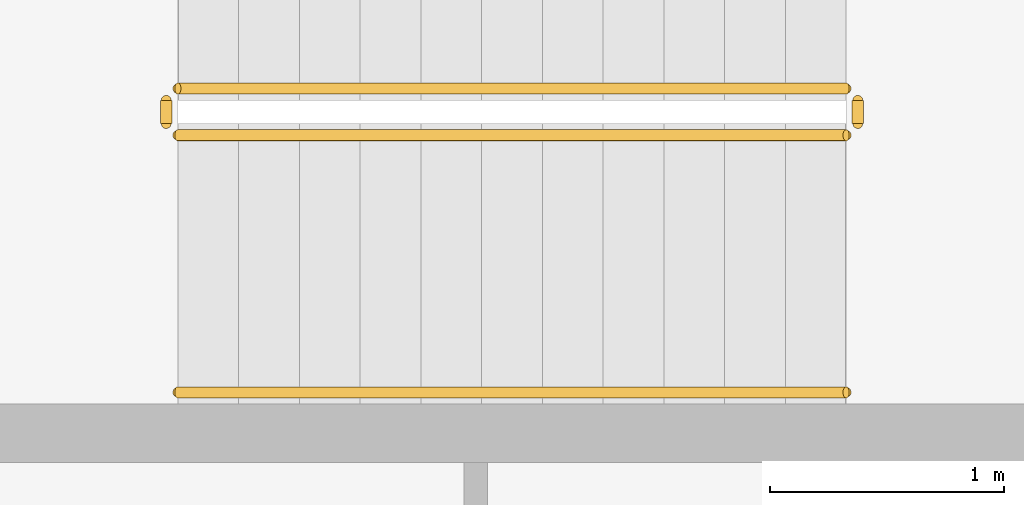
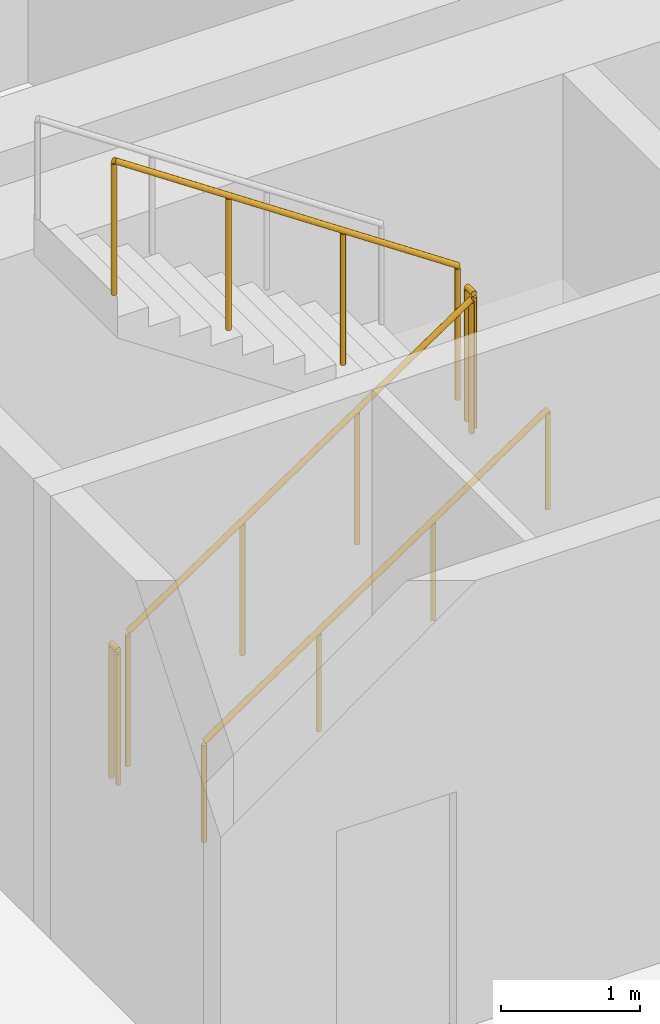
# One storey, part 22 of 26: 5 railings.
"""IFC4 building model written with IfcOpenShell, lengths in metres."""

from ifc_helpers import new_model, si_unit, direction, frame, origin, origin_2d, place, context, subcontext, project, spatial, circle, extrude, material, type_object, element, save


model = new_model("IFC4")

# Units and contexts
model_context = context("Model", 3, precision=1e-05, world=origin(), true_north=direction((0.0, 1.0)))
body_context = subcontext(model_context, "Body", "Model", "MODEL_VIEW")
ifc_project = project(units=[si_unit("LENGTHUNIT", "METRE"), si_unit("AREAUNIT", "SQUARE_METRE"), si_unit("VOLUMEUNIT", "CUBIC_METRE"), si_unit("PLANEANGLEUNIT", "RADIAN"), si_unit("MASSUNIT", "GRAM", prefix="KILO")], contexts=[model_context])

# Site, building, storey
site_placement = place(None, origin())
site = spatial("IfcSite", under=ifc_project, at=site_placement, CompositionType="ELEMENT")
building_placement = place(site_placement, origin())
building = spatial("IfcBuilding", under=site, at=building_placement, Name="Sahrelin Media Tower", CompositionType="ELEMENT")
storey_placement = place(building_placement, frame((0.0, 0.0, 92.39990234375)))
storey = spatial("IfcBuildingStorey", under=building, at=storey_placement, Name="L17", CompositionType="ELEMENT", Elevation=92.39990234375)

# Railings
ifc_material = material(Name="Steel S355", Category="steel")
railing_type_1 = type_object("IfcRailingType", Name="Stair guard 1200", PredefinedType="GUARDRAIL", material=ifc_material)
railing_1_placement = place(storey_placement, frame((-7.675048828125, 5.25, 0.175048828125)))
element("IfcRailing", 1, at=railing_1_placement, inside=storey, type_object=railing_type_1, Name="L17 ST1 stair guard 1", PredefinedType="GUARDRAIL", context=body_context, shape_type="SweptSolid", body=[
    extrude(circle(Radius=0.02392578125, at=origin_2d()), frame((0.0, 0.0, 1.17578125), z_axis=(0.829590901723, 0.0, 0.558371682465), x_axis=(0.0, 1.0, 0.0)), (0.0, 0.0, 1.0), 3.447509765625),
    extrude(circle(Radius=0.02099609375, at=origin_2d()), origin(), (0.0, 0.0, 1.0), 1.15185546875),
    extrude(circle(Radius=0.02099609375, at=origin_2d()), frame((0.953369140625, 0.0, 0.6416015625)), (0.0, 0.0, 1.0), 1.15185546875),
    extrude(circle(Radius=0.02099609375, at=origin_2d()), frame((1.90673828125, 0.0, 1.283447265625)), (0.0, 0.0, 1.0), 1.15185546875),
    extrude(circle(Radius=0.02099609375, at=origin_2d()), frame((2.860107421875, 0.0, 1.925048828125)), (0.0, 0.0, 1.0), 1.15185546875),
])
railing_2_placement = place(storey_placement, frame((-4.764892578125, 5.300048828125, 2.10009765625)))
element("IfcRailing", 2, at=railing_2_placement, inside=storey, type_object=railing_type_1, Name="L17 ST1 stair guard 2", PredefinedType="GUARDRAIL", context=body_context, shape_type="SweptSolid", body=[
    extrude(circle(Radius=0.02392578125, at=origin_2d()), frame((0.0, 0.0, 1.17578125), z_axis=(0.0, 1.0, 0.0), x_axis=(-1.0, 0.0, 0.0)), (0.0, 0.0, 1.0), 0.099853515625),
    extrude(circle(Radius=0.02099609375, at=origin_2d()), origin(), (0.0, 0.0, 1.0), 1.15185546875),
    extrude(circle(Radius=0.02099609375, at=origin_2d()), frame((0.0, 0.099853515625, 0.0)), (0.0, 0.0, 1.0), 1.15185546875),
])
railing_3_placement = place(storey_placement, frame((-4.81494140625, 5.449951171875, 2.275146484375)))
element("IfcRailing", 3, at=railing_3_placement, inside=storey, type_object=railing_type_1, Name="L17 ST1 stair guard 3", PredefinedType="GUARDRAIL", context=body_context, shape_type="SweptSolid", body=[
    extrude(circle(Radius=0.02392578125, at=origin_2d()), frame((0.0, 0.0, 1.17578125), z_axis=(-0.829590901723, 0.0, 0.558371682465), x_axis=(0.0, -1.0, 0.0)), (0.0, 0.0, 1.0), 3.447509765625),
    extrude(circle(Radius=0.02099609375, at=origin_2d()), origin(), (0.0, 0.0, 1.0), 1.15185546875),
    extrude(circle(Radius=0.02099609375, at=origin_2d()), frame((-0.953369140625, 0.0, 0.6416015625)), (0.0, 0.0, 1.0), 1.15185546875),
    extrude(circle(Radius=0.02099609375, at=origin_2d()), frame((-1.90673828125, 0.0, 1.283447265625)), (0.0, 0.0, 1.0), 1.15185546875),
    extrude(circle(Radius=0.02099609375, at=origin_2d()), frame((-2.860107421875, 0.0, 1.925048828125)), (0.0, 0.0, 1.0), 1.15185546875),
])
railing_4_placement = place(storey_placement, frame((-7.72509765625, 5.300048828125, 0.0)))
element("IfcRailing", 4, at=railing_4_placement, inside=storey, type_object=railing_type_1, Name="L17 ST1 stair guard 4", PredefinedType="GUARDRAIL", context=body_context, shape_type="SweptSolid", body=[
    extrude(circle(Radius=0.02392578125, at=origin_2d()), frame((0.0, 0.0, 1.17578125), z_axis=(0.0, 1.0, 0.0), x_axis=(-1.0, 0.0, 0.0)), (0.0, 0.0, 1.0), 0.099853515625),
    extrude(circle(Radius=0.02099609375, at=origin_2d()), origin(), (0.0, 0.0, 1.0), 1.15185546875),
    extrude(circle(Radius=0.02099609375, at=origin_2d()), frame((0.0, 0.099853515625, 0.0)), (0.0, 0.0, 1.0), 1.15185546875),
])
railing_type_2 = type_object("IfcRailingType", Name="Stair handrail 900", PredefinedType="HANDRAIL", material=ifc_material)
railing_5_placement = place(storey_placement, frame((-7.675048828125, 4.14990234375, 0.175048828125)))
element("IfcRailing", 5, at=railing_5_placement, inside=storey, type_object=railing_type_2, Name="L17 ST1 stair handrail 1", PredefinedType="HANDRAIL", context=body_context, shape_type="SweptSolid", body=[
    extrude(circle(Radius=0.02392578125, at=origin_2d()), frame((0.0, 0.0, 0.8759765625), z_axis=(0.829590901723, 0.0, 0.558371682465), x_axis=(0.0, 1.0, 0.0)), (0.0, 0.0, 1.0), 3.447509765625),
    extrude(circle(Radius=0.02099609375, at=origin_2d()), origin(), (0.0, 0.0, 1.0), 0.851806640625),
    extrude(circle(Radius=0.02099609375, at=origin_2d()), frame((0.953369140625, 0.0, 0.6416015625)), (0.0, 0.0, 1.0), 0.851806640625),
    extrude(circle(Radius=0.02099609375, at=origin_2d()), frame((1.90673828125, 0.0, 1.283447265625)), (0.0, 0.0, 1.0), 0.851806640625),
    extrude(circle(Radius=0.02099609375, at=origin_2d()), frame((2.860107421875, 0.0, 1.925048828125)), (0.0, 0.0, 1.0), 0.851806640625),
])

save(model, "model.ifc")
